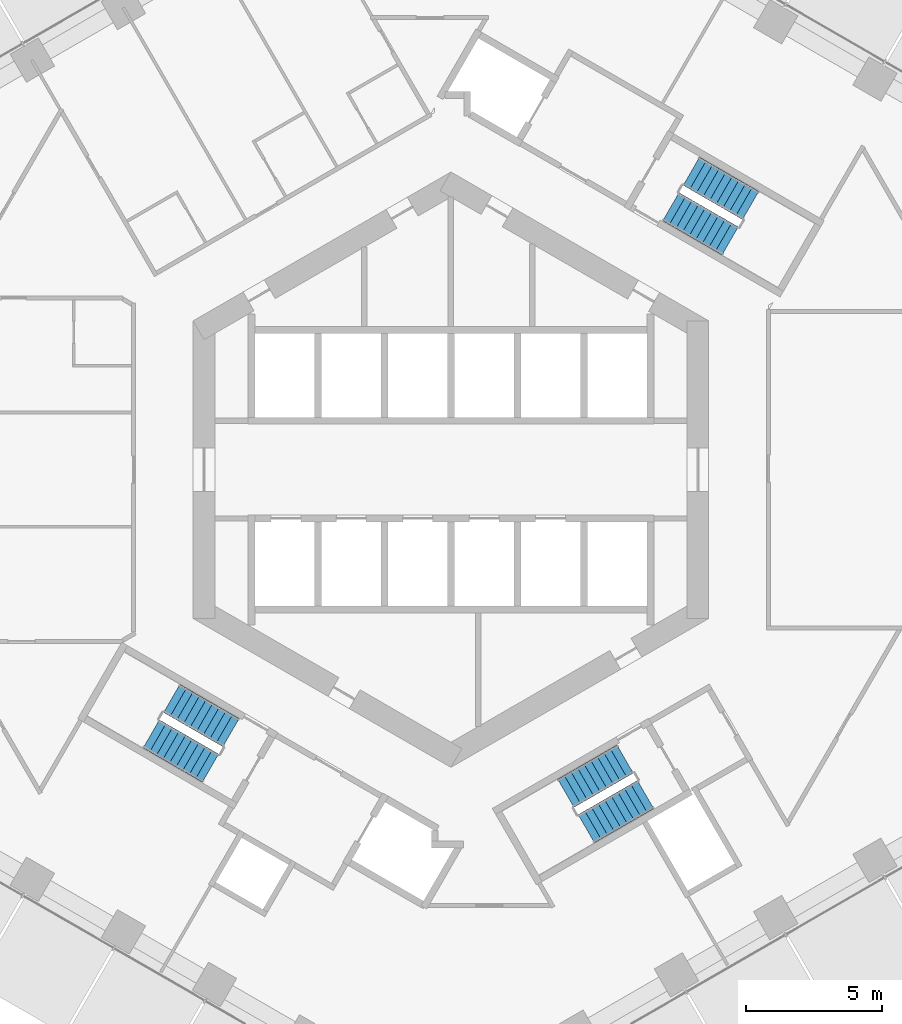
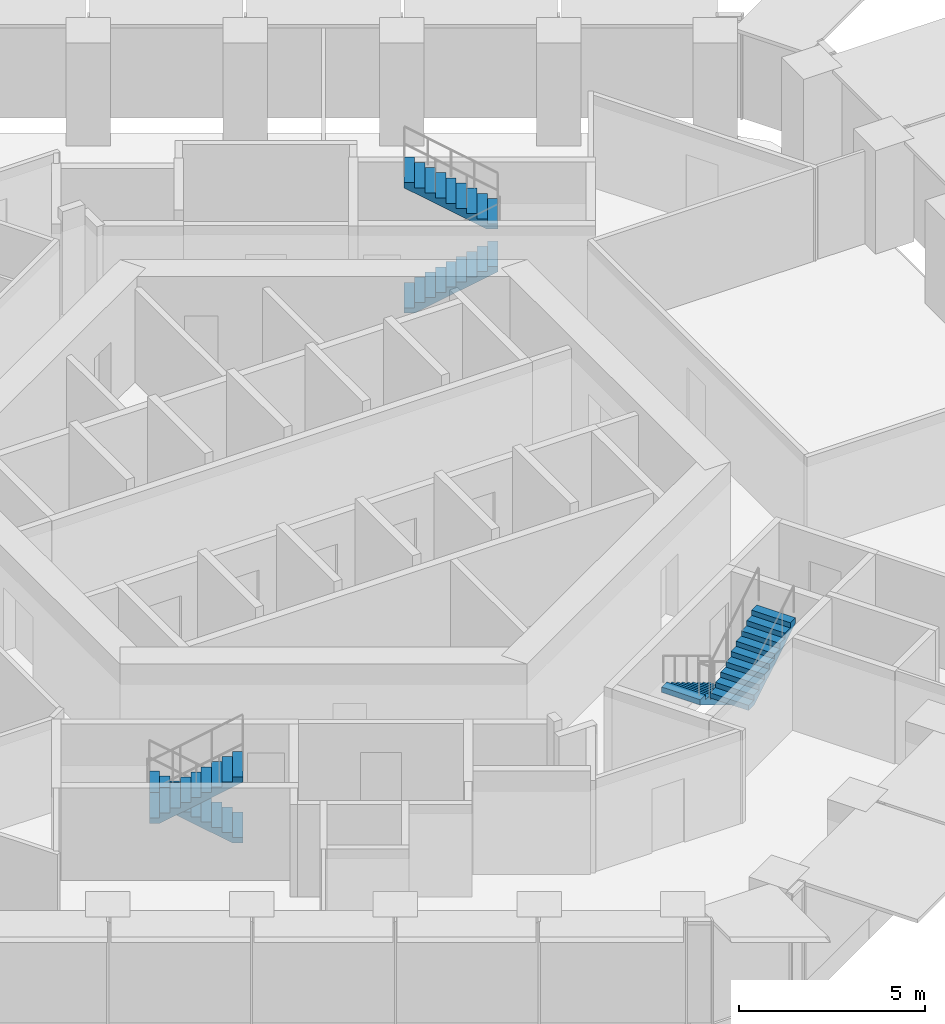
# One storey, part 16 of 19: 6 stair flights, 3 elements without a shape of their own.
"""IFC4 building model written with IfcOpenShell, lengths in metres."""

from ifc_helpers import new_model, si_unit, direction, frame, origin, place, context, subcontext, project, spatial, triangles, material, type_object, element, aggregate, save


model = new_model("IFC4")

# Units and contexts
model_context = context("Model", 3, precision=1e-05, world=origin(), true_north=direction((0.0, 1.0)))
body_context = subcontext(model_context, "Body", "Model", "MODEL_VIEW")
ifc_project = project(units=[si_unit("LENGTHUNIT", "METRE"), si_unit("AREAUNIT", "SQUARE_METRE"), si_unit("VOLUMEUNIT", "CUBIC_METRE"), si_unit("PLANEANGLEUNIT", "RADIAN"), si_unit("MASSUNIT", "GRAM", prefix="KILO")], contexts=[model_context])

# Site, building, storey
site_placement = place(None, origin())
site = spatial("IfcSite", under=ifc_project, at=site_placement, CompositionType="ELEMENT")
building_placement = place(site_placement, origin())
building = spatial("IfcBuilding", under=site, at=building_placement, Name="Ayvan Gate Tower", CompositionType="ELEMENT")
storey_placement = place(building_placement, frame((0.0, 0.0, 52.699951171875)))
storey = spatial("IfcBuildingStorey", under=building, at=storey_placement, Name="L13", CompositionType="ELEMENT", Elevation=52.699951171875)

# Stair, stair flights
ifc_material = material(Name="Concrete C40/50", Category="concrete")
stair_type = type_object("IfcStairType", Name="ST-EXIT", PredefinedType="HALF_TURN_STAIR", material=ifc_material)
stair_1_placement = place(storey_placement, origin())
stair_1 = element("IfcStair", 1, at=stair_1_placement, inside=storey, type_object=stair_type, Name="L13 Exit Stair S1", PredefinedType="HALF_TURN_STAIR")
stair_flight_type = type_object("IfcStairFlightType", Name="SFL-EXIT", PredefinedType="STRAIGHT", material=ifc_material)
stair_flight_1_placement = place(storey_placement, frame((8.106201171875, 9.690185546875, 0.0), z_axis=(0.0, 0.0, 1.0), x_axis=(0.866025403784, -0.5, 0.0)))
stair_flight_1 = element("IfcStairFlight", 2, at=stair_flight_1_placement, type_object=stair_flight_type, Name="STS1 flight 1", NumberOfRisers=10, NumberOfTreads=9, PredefinedType="STRAIGHT", RiserHeight=0.17, TreadLength=0.28, context=body_context, shape_type="Tessellation", body=[
    triangles([(0.288841, -0.599976, 0.0), (2.5205, -0.599976, 1.354936), (2.5205, -0.599976, 1.53), (2.24, -0.599976, 1.53), (2.24, -0.599976, 1.36), (1.96, -0.599976, 1.36), (1.96, -0.599976, 1.19), (1.68, -0.599976, 1.19), (1.68, -0.599976, 1.02), (1.4, -0.599976, 1.02), (1.4, -0.599976, 0.85), (1.12, -0.599976, 0.85), (1.12, -0.599976, 0.68), (0.84, -0.599976, 0.68), (0.84, -0.599976, 0.51), (0.56, -0.599976, 0.51), (0.56, -0.599976, 0.34), (0.28, -0.599976, 0.34), (0.28, -0.599976, 0.17), (-0.0005, -0.599976, 0.17), (-0.0005, -0.599976, 0.0), (0.288841, 0.0, 0.0), (2.5205, 0.0, 1.354936), (2.5205, 0.0, 1.53), (2.24, 0.0, 1.53), (2.24, 0.0, 1.36), (1.96, 0.0, 1.36), (1.96, 0.0, 1.19), (1.68, 0.0, 1.19), (1.68, 0.0, 1.02), (1.4, 0.0, 1.02), (1.4, 0.0, 0.85), (1.12, 0.0, 0.85), (1.12, 0.0, 0.68), (0.84, 0.0, 0.68), (0.84, 0.0, 0.51), (0.56, 0.0, 0.51), (0.56, 0.0, 0.34), (0.28, 0.0, 0.34), (0.28, 0.0, 0.17), (-0.0005, 0.0, 0.17), (-0.0005, 0.0, 0.0), (0.288841, 0.599976, 0.0), (2.5205, 0.599976, 1.354936), (2.5205, 0.599976, 1.53), (2.24, 0.599976, 1.53), (2.24, 0.599976, 1.36), (1.96, 0.599976, 1.36), (1.96, 0.599976, 1.19), (1.68, 0.599976, 1.19), (1.68, 0.599976, 1.02), (1.4, 0.599976, 1.02), (1.4, 0.599976, 0.85), (1.12, 0.599976, 0.85), (1.12, 0.599976, 0.68), (0.84, 0.599976, 0.68), (0.84, 0.599976, 0.51), (0.56, 0.599976, 0.51), (0.56, 0.599976, 0.34), (0.28, 0.599976, 0.34), (0.28, 0.599976, 0.17), (-0.0005, 0.599976, 0.17), (-0.0005, 0.599976, 0.0)], [[21, 1, 2], [63, 44, 43], [2, 3, 4], [44, 46, 45], [2, 4, 5], [44, 47, 46], [2, 5, 6], [44, 48, 47], [2, 6, 7], [44, 49, 48], [7, 8, 9], [49, 51, 50], [2, 7, 9], [44, 51, 49], [9, 10, 11], [51, 53, 52], [2, 9, 11], [44, 53, 51], [11, 12, 13], [53, 55, 54], [2, 11, 13], [44, 55, 53], [13, 14, 15], [55, 57, 56], [2, 13, 15], [44, 57, 55], [15, 16, 17], [57, 59, 58], [2, 15, 17], [44, 59, 57], [17, 18, 19], [59, 61, 60], [2, 17, 19], [44, 61, 59], [21, 2, 19], [63, 61, 44], [19, 20, 21], [61, 63, 62], [1, 22, 23], [1, 23, 2], [43, 23, 22], [43, 44, 23], [2, 23, 24], [2, 24, 3], [44, 24, 23], [44, 45, 24], [3, 24, 25], [3, 25, 4], [45, 25, 24], [45, 46, 25], [4, 25, 26], [4, 26, 5], [46, 26, 25], [46, 47, 26], [5, 26, 27], [5, 27, 6], [47, 27, 26], [47, 48, 27], [6, 27, 28], [6, 28, 7], [48, 28, 27], [48, 49, 28], [7, 28, 29], [7, 29, 8], [49, 29, 28], [49, 50, 29], [8, 29, 30], [8, 30, 9], [50, 30, 29], [50, 51, 30], [9, 30, 31], [9, 31, 10], [51, 31, 30], [51, 52, 31], [10, 31, 32], [10, 32, 11], [52, 32, 31], [52, 53, 32], [11, 32, 33], [11, 33, 12], [53, 33, 32], [53, 54, 33], [12, 33, 34], [12, 34, 13], [54, 34, 33], [54, 55, 34], [13, 34, 35], [13, 35, 14], [55, 35, 34], [55, 56, 35], [14, 35, 36], [14, 36, 15], [56, 36, 35], [56, 57, 36], [15, 36, 37], [15, 37, 16], [57, 37, 36], [57, 58, 37], [16, 37, 38], [16, 38, 17], [58, 38, 37], [58, 59, 38], [17, 38, 39], [17, 39, 18], [59, 39, 38], [59, 60, 39], [18, 39, 40], [18, 40, 19], [60, 40, 39], [60, 61, 40], [19, 40, 41], [19, 41, 20], [61, 41, 40], [61, 62, 41], [20, 41, 42], [20, 42, 21], [62, 42, 41], [62, 63, 42], [21, 42, 22], [21, 22, 1], [63, 22, 42], [63, 43, 22]], closed=True),
])
stair_flight_2_placement = place(storey_placement, frame((11.04345703125, 9.73779296875, 1.699951171875), z_axis=(0.0, 0.0, 1.0), x_axis=(-0.866025403784, 0.5, 0.0)))
stair_flight_2 = element("IfcStairFlight", 3, at=stair_flight_2_placement, type_object=stair_flight_type, Name="STS1 flight 2", NumberOfRisers=10, NumberOfTreads=9, PredefinedType="STRAIGHT", RiserHeight=0.17, TreadLength=0.28, context=body_context, shape_type="Tessellation", body=[
    triangles([(0.288841, -0.599976, 0.0), (2.5205, -0.599976, 1.354936), (2.5205, -0.599976, 1.53), (2.24, -0.599976, 1.53), (2.24, -0.599976, 1.36), (1.96, -0.599976, 1.36), (1.96, -0.599976, 1.19), (1.68, -0.599976, 1.19), (1.68, -0.599976, 1.02), (1.4, -0.599976, 1.02), (1.4, -0.599976, 0.85), (1.12, -0.599976, 0.85), (1.12, -0.599976, 0.68), (0.84, -0.599976, 0.68), (0.84, -0.599976, 0.51), (0.56, -0.599976, 0.51), (0.56, -0.599976, 0.34), (0.28, -0.599976, 0.34), (0.28, -0.599976, 0.17), (-0.0005, -0.599976, 0.17), (-0.0005, -0.599976, 0.0), (0.288841, 0.0, 0.0), (2.5205, 0.0, 1.354936), (2.5205, 0.0, 1.53), (2.24, 0.0, 1.53), (2.24, 0.0, 1.36), (1.96, 0.0, 1.36), (1.96, 0.0, 1.19), (1.68, 0.0, 1.19), (1.68, 0.0, 1.02), (1.4, 0.0, 1.02), (1.4, 0.0, 0.85), (1.12, 0.0, 0.85), (1.12, 0.0, 0.68), (0.84, 0.0, 0.68), (0.84, 0.0, 0.51), (0.56, 0.0, 0.51), (0.56, 0.0, 0.34), (0.28, 0.0, 0.34), (0.28, 0.0, 0.17), (-0.0005, 0.0, 0.17), (-0.0005, 0.0, 0.0), (0.288841, 0.599976, 0.0), (2.5205, 0.599976, 1.354936), (2.5205, 0.599976, 1.53), (2.24, 0.599976, 1.53), (2.24, 0.599976, 1.36), (1.96, 0.599976, 1.36), (1.96, 0.599976, 1.19), (1.68, 0.599976, 1.19), (1.68, 0.599976, 1.02), (1.4, 0.599976, 1.02), (1.4, 0.599976, 0.85), (1.12, 0.599976, 0.85), (1.12, 0.599976, 0.68), (0.84, 0.599976, 0.68), (0.84, 0.599976, 0.51), (0.56, 0.599976, 0.51), (0.56, 0.599976, 0.34), (0.28, 0.599976, 0.34), (0.28, 0.599976, 0.17), (-0.0005, 0.599976, 0.17), (-0.0005, 0.599976, 0.0)], [[21, 1, 2], [63, 44, 43], [2, 3, 4], [44, 46, 45], [2, 4, 5], [44, 47, 46], [2, 5, 6], [44, 48, 47], [2, 6, 7], [44, 49, 48], [7, 8, 9], [49, 51, 50], [2, 7, 9], [44, 51, 49], [9, 10, 11], [51, 53, 52], [2, 9, 11], [44, 53, 51], [11, 12, 13], [53, 55, 54], [2, 11, 13], [44, 55, 53], [13, 14, 15], [55, 57, 56], [2, 13, 15], [44, 57, 55], [15, 16, 17], [57, 59, 58], [2, 15, 17], [44, 59, 57], [17, 18, 19], [59, 61, 60], [2, 17, 19], [44, 61, 59], [21, 2, 19], [63, 61, 44], [19, 20, 21], [61, 63, 62], [1, 22, 23], [1, 23, 2], [43, 23, 22], [43, 44, 23], [2, 23, 24], [2, 24, 3], [44, 24, 23], [44, 45, 24], [3, 24, 25], [3, 25, 4], [45, 25, 24], [45, 46, 25], [4, 25, 26], [4, 26, 5], [46, 26, 25], [46, 47, 26], [5, 26, 27], [5, 27, 6], [47, 27, 26], [47, 48, 27], [6, 27, 28], [6, 28, 7], [48, 28, 27], [48, 49, 28], [7, 28, 29], [7, 29, 8], [49, 29, 28], [49, 50, 29], [8, 29, 30], [8, 30, 9], [50, 30, 29], [50, 51, 30], [9, 30, 31], [9, 31, 10], [51, 31, 30], [51, 52, 31], [10, 31, 32], [10, 32, 11], [52, 32, 31], [52, 53, 32], [11, 32, 33], [11, 33, 12], [53, 33, 32], [53, 54, 33], [12, 33, 34], [12, 34, 13], [54, 34, 33], [54, 55, 34], [13, 34, 35], [13, 35, 14], [55, 35, 34], [55, 56, 35], [14, 35, 36], [14, 36, 15], [56, 36, 35], [56, 57, 36], [15, 36, 37], [15, 37, 16], [57, 37, 36], [57, 58, 37], [16, 37, 38], [16, 38, 17], [58, 38, 37], [58, 59, 38], [17, 38, 39], [17, 39, 18], [59, 39, 38], [59, 60, 39], [18, 39, 40], [18, 40, 19], [60, 40, 39], [60, 61, 40], [19, 40, 41], [19, 41, 20], [61, 41, 40], [61, 62, 41], [20, 41, 42], [20, 42, 21], [62, 42, 41], [62, 63, 42], [21, 42, 22], [21, 22, 1], [63, 22, 42], [63, 43, 22]], closed=True),
])
aggregate(stair_1, [stair_flight_1, stair_flight_2])

stair_2_placement = place(storey_placement, origin())
stair_2 = element("IfcStair", 4, at=stair_2_placement, inside=storey, type_object=stair_type, Name="L13 Exit Stair S2", PredefinedType="HALF_TURN_STAIR")
stair_flight_3_placement = place(storey_placement, frame((-8.106201171875, -9.690185546875, 0.0), z_axis=(0.0, 0.0, 1.0), x_axis=(-0.866025403784, 0.5, 0.0)))
stair_flight_3 = element("IfcStairFlight", 5, at=stair_flight_3_placement, type_object=stair_flight_type, Name="STS2 flight 1", NumberOfRisers=10, NumberOfTreads=9, PredefinedType="STRAIGHT", RiserHeight=0.17, TreadLength=0.28, context=body_context, shape_type="Tessellation", body=[
    triangles([(0.288841, -0.599976, 0.0), (2.5205, -0.599976, 1.354936), (2.5205, -0.599976, 1.53), (2.24, -0.599976, 1.53), (2.24, -0.599976, 1.36), (1.96, -0.599976, 1.36), (1.96, -0.599976, 1.19), (1.68, -0.599976, 1.19), (1.68, -0.599976, 1.02), (1.4, -0.599976, 1.02), (1.4, -0.599976, 0.85), (1.12, -0.599976, 0.85), (1.12, -0.599976, 0.68), (0.84, -0.599976, 0.68), (0.84, -0.599976, 0.51), (0.56, -0.599976, 0.51), (0.56, -0.599976, 0.34), (0.28, -0.599976, 0.34), (0.28, -0.599976, 0.17), (-0.0005, -0.599976, 0.17), (-0.0005, -0.599976, 0.0), (0.288841, 0.0, 0.0), (2.5205, 0.0, 1.354936), (2.5205, 0.0, 1.53), (2.24, 0.0, 1.53), (2.24, 0.0, 1.36), (1.96, 0.0, 1.36), (1.96, 0.0, 1.19), (1.68, 0.0, 1.19), (1.68, 0.0, 1.02), (1.4, 0.0, 1.02), (1.4, 0.0, 0.85), (1.12, 0.0, 0.85), (1.12, 0.0, 0.68), (0.84, 0.0, 0.68), (0.84, 0.0, 0.51), (0.56, 0.0, 0.51), (0.56, 0.0, 0.34), (0.28, 0.0, 0.34), (0.28, 0.0, 0.17), (-0.0005, 0.0, 0.17), (-0.0005, 0.0, 0.0), (0.288841, 0.599976, 0.0), (2.5205, 0.599976, 1.354936), (2.5205, 0.599976, 1.53), (2.24, 0.599976, 1.53), (2.24, 0.599976, 1.36), (1.96, 0.599976, 1.36), (1.96, 0.599976, 1.19), (1.68, 0.599976, 1.19), (1.68, 0.599976, 1.02), (1.4, 0.599976, 1.02), (1.4, 0.599976, 0.85), (1.12, 0.599976, 0.85), (1.12, 0.599976, 0.68), (0.84, 0.599976, 0.68), (0.84, 0.599976, 0.51), (0.56, 0.599976, 0.51), (0.56, 0.599976, 0.34), (0.28, 0.599976, 0.34), (0.28, 0.599976, 0.17), (-0.0005, 0.599976, 0.17), (-0.0005, 0.599976, 0.0)], [[21, 1, 2], [63, 44, 43], [2, 3, 4], [44, 46, 45], [2, 4, 5], [44, 47, 46], [2, 5, 6], [44, 48, 47], [2, 6, 7], [44, 49, 48], [7, 8, 9], [49, 51, 50], [2, 7, 9], [44, 51, 49], [9, 10, 11], [51, 53, 52], [2, 9, 11], [44, 53, 51], [11, 12, 13], [53, 55, 54], [2, 11, 13], [44, 55, 53], [13, 14, 15], [55, 57, 56], [2, 13, 15], [44, 57, 55], [15, 16, 17], [57, 59, 58], [2, 15, 17], [44, 59, 57], [17, 18, 19], [59, 61, 60], [2, 17, 19], [44, 61, 59], [21, 2, 19], [63, 61, 44], [19, 20, 21], [61, 63, 62], [1, 22, 23], [1, 23, 2], [43, 23, 22], [43, 44, 23], [2, 23, 24], [2, 24, 3], [44, 24, 23], [44, 45, 24], [3, 24, 25], [3, 25, 4], [45, 25, 24], [45, 46, 25], [4, 25, 26], [4, 26, 5], [46, 26, 25], [46, 47, 26], [5, 26, 27], [5, 27, 6], [47, 27, 26], [47, 48, 27], [6, 27, 28], [6, 28, 7], [48, 28, 27], [48, 49, 28], [7, 28, 29], [7, 29, 8], [49, 29, 28], [49, 50, 29], [8, 29, 30], [8, 30, 9], [50, 30, 29], [50, 51, 30], [9, 30, 31], [9, 31, 10], [51, 31, 30], [51, 52, 31], [10, 31, 32], [10, 32, 11], [52, 32, 31], [52, 53, 32], [11, 32, 33], [11, 33, 12], [53, 33, 32], [53, 54, 33], [12, 33, 34], [12, 34, 13], [54, 34, 33], [54, 55, 34], [13, 34, 35], [13, 35, 14], [55, 35, 34], [55, 56, 35], [14, 35, 36], [14, 36, 15], [56, 36, 35], [56, 57, 36], [15, 36, 37], [15, 37, 16], [57, 37, 36], [57, 58, 37], [16, 37, 38], [16, 38, 17], [58, 38, 37], [58, 59, 38], [17, 38, 39], [17, 39, 18], [59, 39, 38], [59, 60, 39], [18, 39, 40], [18, 40, 19], [60, 40, 39], [60, 61, 40], [19, 40, 41], [19, 41, 20], [61, 41, 40], [61, 62, 41], [20, 41, 42], [20, 42, 21], [62, 42, 41], [62, 63, 42], [21, 42, 22], [21, 22, 1], [63, 22, 42], [63, 43, 22]], closed=True),
])
stair_flight_4_placement = place(storey_placement, frame((-11.04345703125, -9.73779296875, 1.699951171875), z_axis=(0.0, 0.0, 1.0), x_axis=(0.866025403784, -0.5, 0.0)))
stair_flight_4 = element("IfcStairFlight", 6, at=stair_flight_4_placement, type_object=stair_flight_type, Name="STS2 flight 2", NumberOfRisers=10, NumberOfTreads=9, PredefinedType="STRAIGHT", RiserHeight=0.17, TreadLength=0.28, context=body_context, shape_type="Tessellation", body=[
    triangles([(0.288841, -0.599976, 0.0), (2.5205, -0.599976, 1.354936), (2.5205, -0.599976, 1.53), (2.24, -0.599976, 1.53), (2.24, -0.599976, 1.36), (1.96, -0.599976, 1.36), (1.96, -0.599976, 1.19), (1.68, -0.599976, 1.19), (1.68, -0.599976, 1.02), (1.4, -0.599976, 1.02), (1.4, -0.599976, 0.85), (1.12, -0.599976, 0.85), (1.12, -0.599976, 0.68), (0.84, -0.599976, 0.68), (0.84, -0.599976, 0.51), (0.56, -0.599976, 0.51), (0.56, -0.599976, 0.34), (0.28, -0.599976, 0.34), (0.28, -0.599976, 0.17), (-0.0005, -0.599976, 0.17), (-0.0005, -0.599976, 0.0), (0.288841, 0.0, 0.0), (2.5205, 0.0, 1.354936), (2.5205, 0.0, 1.53), (2.24, 0.0, 1.53), (2.24, 0.0, 1.36), (1.96, 0.0, 1.36), (1.96, 0.0, 1.19), (1.68, 0.0, 1.19), (1.68, 0.0, 1.02), (1.4, 0.0, 1.02), (1.4, 0.0, 0.85), (1.12, 0.0, 0.85), (1.12, 0.0, 0.68), (0.84, 0.0, 0.68), (0.84, 0.0, 0.51), (0.56, 0.0, 0.51), (0.56, 0.0, 0.34), (0.28, 0.0, 0.34), (0.28, 0.0, 0.17), (-0.0005, 0.0, 0.17), (-0.0005, 0.0, 0.0), (0.288841, 0.599976, 0.0), (2.5205, 0.599976, 1.354936), (2.5205, 0.599976, 1.53), (2.24, 0.599976, 1.53), (2.24, 0.599976, 1.36), (1.96, 0.599976, 1.36), (1.96, 0.599976, 1.19), (1.68, 0.599976, 1.19), (1.68, 0.599976, 1.02), (1.4, 0.599976, 1.02), (1.4, 0.599976, 0.85), (1.12, 0.599976, 0.85), (1.12, 0.599976, 0.68), (0.84, 0.599976, 0.68), (0.84, 0.599976, 0.51), (0.56, 0.599976, 0.51), (0.56, 0.599976, 0.34), (0.28, 0.599976, 0.34), (0.28, 0.599976, 0.17), (-0.0005, 0.599976, 0.17), (-0.0005, 0.599976, 0.0)], [[21, 1, 2], [63, 44, 43], [2, 3, 4], [44, 46, 45], [2, 4, 5], [44, 47, 46], [2, 5, 6], [44, 48, 47], [2, 6, 7], [44, 49, 48], [7, 8, 9], [49, 51, 50], [2, 7, 9], [44, 51, 49], [9, 10, 11], [51, 53, 52], [2, 9, 11], [44, 53, 51], [11, 12, 13], [53, 55, 54], [2, 11, 13], [44, 55, 53], [13, 14, 15], [55, 57, 56], [2, 13, 15], [44, 57, 55], [15, 16, 17], [57, 59, 58], [2, 15, 17], [44, 59, 57], [17, 18, 19], [59, 61, 60], [2, 17, 19], [44, 61, 59], [21, 2, 19], [63, 61, 44], [19, 20, 21], [61, 63, 62], [1, 22, 23], [1, 23, 2], [43, 23, 22], [43, 44, 23], [2, 23, 24], [2, 24, 3], [44, 24, 23], [44, 45, 24], [3, 24, 25], [3, 25, 4], [45, 25, 24], [45, 46, 25], [4, 25, 26], [4, 26, 5], [46, 26, 25], [46, 47, 26], [5, 26, 27], [5, 27, 6], [47, 27, 26], [47, 48, 27], [6, 27, 28], [6, 28, 7], [48, 28, 27], [48, 49, 28], [7, 28, 29], [7, 29, 8], [49, 29, 28], [49, 50, 29], [8, 29, 30], [8, 30, 9], [50, 30, 29], [50, 51, 30], [9, 30, 31], [9, 31, 10], [51, 31, 30], [51, 52, 31], [10, 31, 32], [10, 32, 11], [52, 32, 31], [52, 53, 32], [11, 32, 33], [11, 33, 12], [53, 33, 32], [53, 54, 33], [12, 33, 34], [12, 34, 13], [54, 34, 33], [54, 55, 34], [13, 34, 35], [13, 35, 14], [55, 35, 34], [55, 56, 35], [14, 35, 36], [14, 36, 15], [56, 36, 35], [56, 57, 36], [15, 36, 37], [15, 37, 16], [57, 37, 36], [57, 58, 37], [16, 37, 38], [16, 38, 17], [58, 38, 37], [58, 59, 38], [17, 38, 39], [17, 39, 18], [59, 39, 38], [59, 60, 39], [18, 39, 40], [18, 40, 19], [60, 40, 39], [60, 61, 40], [19, 40, 41], [19, 41, 20], [61, 41, 40], [61, 62, 41], [20, 41, 42], [20, 42, 21], [62, 42, 41], [62, 63, 42], [21, 42, 22], [21, 22, 1], [63, 22, 42], [63, 43, 22]], closed=True),
])
aggregate(stair_2, [stair_flight_3, stair_flight_4])

stair_3_placement = place(storey_placement, origin())
stair_3 = element("IfcStair", 7, at=stair_3_placement, inside=storey, type_object=stair_type, Name="L13 Exit Stair S3", PredefinedType="HALF_TURN_STAIR")
stair_flight_5_placement = place(storey_placement, frame((6.417236328125, -10.665283203125, 0.0), z_axis=(0.0, 0.0, 1.0), x_axis=(-0.866025403784, -0.5, 0.0)))
stair_flight_5 = element("IfcStairFlight", 8, at=stair_flight_5_placement, type_object=stair_flight_type, Name="STS3 flight 1", NumberOfRisers=10, NumberOfTreads=9, PredefinedType="STRAIGHT", RiserHeight=0.17, TreadLength=0.28, context=body_context, shape_type="Tessellation", body=[
    triangles([(0.288841, -0.599976, 0.0), (2.5205, -0.599976, 1.354936), (2.5205, -0.599976, 1.53), (2.24, -0.599976, 1.53), (2.24, -0.599976, 1.36), (1.96, -0.599976, 1.36), (1.96, -0.599976, 1.19), (1.68, -0.599976, 1.19), (1.68, -0.599976, 1.02), (1.4, -0.599976, 1.02), (1.4, -0.599976, 0.85), (1.12, -0.599976, 0.85), (1.12, -0.599976, 0.68), (0.84, -0.599976, 0.68), (0.84, -0.599976, 0.51), (0.56, -0.599976, 0.51), (0.56, -0.599976, 0.34), (0.28, -0.599976, 0.34), (0.28, -0.599976, 0.17), (-0.0005, -0.599976, 0.17), (-0.0005, -0.599976, 0.0), (0.288841, 0.0, 0.0), (2.5205, 0.0, 1.354936), (2.5205, 0.0, 1.53), (2.24, 0.0, 1.53), (2.24, 0.0, 1.36), (1.96, 0.0, 1.36), (1.96, 0.0, 1.19), (1.68, 0.0, 1.19), (1.68, 0.0, 1.02), (1.4, 0.0, 1.02), (1.4, 0.0, 0.85), (1.12, 0.0, 0.85), (1.12, 0.0, 0.68), (0.84, 0.0, 0.68), (0.84, 0.0, 0.51), (0.56, 0.0, 0.51), (0.56, 0.0, 0.34), (0.28, 0.0, 0.34), (0.28, 0.0, 0.17), (-0.0005, 0.0, 0.17), (-0.0005, 0.0, 0.0), (0.288841, 0.599976, 0.0), (2.5205, 0.599976, 1.354936), (2.5205, 0.599976, 1.53), (2.24, 0.599976, 1.53), (2.24, 0.599976, 1.36), (1.96, 0.599976, 1.36), (1.96, 0.599976, 1.19), (1.68, 0.599976, 1.19), (1.68, 0.599976, 1.02), (1.4, 0.599976, 1.02), (1.4, 0.599976, 0.85), (1.12, 0.599976, 0.85), (1.12, 0.599976, 0.68), (0.84, 0.599976, 0.68), (0.84, 0.599976, 0.51), (0.56, 0.599976, 0.51), (0.56, 0.599976, 0.34), (0.28, 0.599976, 0.34), (0.28, 0.599976, 0.17), (-0.0005, 0.599976, 0.17), (-0.0005, 0.599976, 0.0)], [[21, 1, 2], [63, 44, 43], [2, 3, 4], [44, 46, 45], [2, 4, 5], [44, 47, 46], [2, 5, 6], [44, 48, 47], [2, 6, 7], [44, 49, 48], [7, 8, 9], [49, 51, 50], [2, 7, 9], [44, 51, 49], [9, 10, 11], [51, 53, 52], [2, 9, 11], [44, 53, 51], [11, 12, 13], [53, 55, 54], [2, 11, 13], [44, 55, 53], [13, 14, 15], [55, 57, 56], [2, 13, 15], [44, 57, 55], [15, 16, 17], [57, 59, 58], [2, 15, 17], [44, 59, 57], [17, 18, 19], [59, 61, 60], [2, 17, 19], [44, 61, 59], [21, 2, 19], [63, 61, 44], [19, 20, 21], [61, 63, 62], [1, 22, 23], [1, 23, 2], [43, 23, 22], [43, 44, 23], [2, 23, 24], [2, 24, 3], [44, 24, 23], [44, 45, 24], [3, 24, 25], [3, 25, 4], [45, 25, 24], [45, 46, 25], [4, 25, 26], [4, 26, 5], [46, 26, 25], [46, 47, 26], [5, 26, 27], [5, 27, 6], [47, 27, 26], [47, 48, 27], [6, 27, 28], [6, 28, 7], [48, 28, 27], [48, 49, 28], [7, 28, 29], [7, 29, 8], [49, 29, 28], [49, 50, 29], [8, 29, 30], [8, 30, 9], [50, 30, 29], [50, 51, 30], [9, 30, 31], [9, 31, 10], [51, 31, 30], [51, 52, 31], [10, 31, 32], [10, 32, 11], [52, 32, 31], [52, 53, 32], [11, 32, 33], [11, 33, 12], [53, 33, 32], [53, 54, 33], [12, 33, 34], [12, 34, 13], [54, 34, 33], [54, 55, 34], [13, 34, 35], [13, 35, 14], [55, 35, 34], [55, 56, 35], [14, 35, 36], [14, 36, 15], [56, 36, 35], [56, 57, 36], [15, 36, 37], [15, 37, 16], [57, 37, 36], [57, 58, 37], [16, 37, 38], [16, 38, 17], [58, 38, 37], [58, 59, 38], [17, 38, 39], [17, 39, 18], [59, 39, 38], [59, 60, 39], [18, 39, 40], [18, 40, 19], [60, 40, 39], [60, 61, 40], [19, 40, 41], [19, 41, 20], [61, 41, 40], [61, 62, 41], [20, 41, 42], [20, 42, 21], [62, 42, 41], [62, 63, 42], [21, 42, 22], [21, 22, 1], [63, 22, 42], [63, 43, 22]], closed=True),
])
stair_flight_6_placement = place(storey_placement, frame((4.989990234375, -13.23291015625, 1.699951171875), z_axis=(0.0, 0.0, 1.0), x_axis=(0.866025403784, 0.5, 0.0)))
stair_flight_6 = element("IfcStairFlight", 9, at=stair_flight_6_placement, type_object=stair_flight_type, Name="STS3 flight 2", NumberOfRisers=10, NumberOfTreads=9, PredefinedType="STRAIGHT", RiserHeight=0.17, TreadLength=0.28, context=body_context, shape_type="Tessellation", body=[
    triangles([(0.288841, -0.599976, 0.0), (2.5205, -0.599976, 1.354936), (2.5205, -0.599976, 1.53), (2.24, -0.599976, 1.53), (2.24, -0.599976, 1.36), (1.96, -0.599976, 1.36), (1.96, -0.599976, 1.19), (1.68, -0.599976, 1.19), (1.68, -0.599976, 1.02), (1.4, -0.599976, 1.02), (1.4, -0.599976, 0.85), (1.12, -0.599976, 0.85), (1.12, -0.599976, 0.68), (0.84, -0.599976, 0.68), (0.84, -0.599976, 0.51), (0.56, -0.599976, 0.51), (0.56, -0.599976, 0.34), (0.28, -0.599976, 0.34), (0.28, -0.599976, 0.17), (-0.0005, -0.599976, 0.17), (-0.0005, -0.599976, 0.0), (0.288841, 0.0, 0.0), (2.5205, 0.0, 1.354936), (2.5205, 0.0, 1.53), (2.24, 0.0, 1.53), (2.24, 0.0, 1.36), (1.96, 0.0, 1.36), (1.96, 0.0, 1.19), (1.68, 0.0, 1.19), (1.68, 0.0, 1.02), (1.4, 0.0, 1.02), (1.4, 0.0, 0.85), (1.12, 0.0, 0.85), (1.12, 0.0, 0.68), (0.84, 0.0, 0.68), (0.84, 0.0, 0.51), (0.56, 0.0, 0.51), (0.56, 0.0, 0.34), (0.28, 0.0, 0.34), (0.28, 0.0, 0.17), (-0.0005, 0.0, 0.17), (-0.0005, 0.0, 0.0), (0.288841, 0.599976, 0.0), (2.5205, 0.599976, 1.354936), (2.5205, 0.599976, 1.53), (2.24, 0.599976, 1.53), (2.24, 0.599976, 1.36), (1.96, 0.599976, 1.36), (1.96, 0.599976, 1.19), (1.68, 0.599976, 1.19), (1.68, 0.599976, 1.02), (1.4, 0.599976, 1.02), (1.4, 0.599976, 0.85), (1.12, 0.599976, 0.85), (1.12, 0.599976, 0.68), (0.84, 0.599976, 0.68), (0.84, 0.599976, 0.51), (0.56, 0.599976, 0.51), (0.56, 0.599976, 0.34), (0.28, 0.599976, 0.34), (0.28, 0.599976, 0.17), (-0.0005, 0.599976, 0.17), (-0.0005, 0.599976, 0.0)], [[21, 1, 2], [63, 44, 43], [2, 3, 4], [44, 46, 45], [2, 4, 5], [44, 47, 46], [2, 5, 6], [44, 48, 47], [2, 6, 7], [44, 49, 48], [7, 8, 9], [49, 51, 50], [2, 7, 9], [44, 51, 49], [9, 10, 11], [51, 53, 52], [2, 9, 11], [44, 53, 51], [11, 12, 13], [53, 55, 54], [2, 11, 13], [44, 55, 53], [13, 14, 15], [55, 57, 56], [2, 13, 15], [44, 57, 55], [15, 16, 17], [57, 59, 58], [2, 15, 17], [44, 59, 57], [17, 18, 19], [59, 61, 60], [2, 17, 19], [44, 61, 59], [21, 2, 19], [63, 61, 44], [19, 20, 21], [61, 63, 62], [1, 22, 23], [1, 23, 2], [43, 23, 22], [43, 44, 23], [2, 23, 24], [2, 24, 3], [44, 24, 23], [44, 45, 24], [3, 24, 25], [3, 25, 4], [45, 25, 24], [45, 46, 25], [4, 25, 26], [4, 26, 5], [46, 26, 25], [46, 47, 26], [5, 26, 27], [5, 27, 6], [47, 27, 26], [47, 48, 27], [6, 27, 28], [6, 28, 7], [48, 28, 27], [48, 49, 28], [7, 28, 29], [7, 29, 8], [49, 29, 28], [49, 50, 29], [8, 29, 30], [8, 30, 9], [50, 30, 29], [50, 51, 30], [9, 30, 31], [9, 31, 10], [51, 31, 30], [51, 52, 31], [10, 31, 32], [10, 32, 11], [52, 32, 31], [52, 53, 32], [11, 32, 33], [11, 33, 12], [53, 33, 32], [53, 54, 33], [12, 33, 34], [12, 34, 13], [54, 34, 33], [54, 55, 34], [13, 34, 35], [13, 35, 14], [55, 35, 34], [55, 56, 35], [14, 35, 36], [14, 36, 15], [56, 36, 35], [56, 57, 36], [15, 36, 37], [15, 37, 16], [57, 37, 36], [57, 58, 37], [16, 37, 38], [16, 38, 17], [58, 38, 37], [58, 59, 38], [17, 38, 39], [17, 39, 18], [59, 39, 38], [59, 60, 39], [18, 39, 40], [18, 40, 19], [60, 40, 39], [60, 61, 40], [19, 40, 41], [19, 41, 20], [61, 41, 40], [61, 62, 41], [20, 41, 42], [20, 42, 21], [62, 42, 41], [62, 63, 42], [21, 42, 22], [21, 22, 1], [63, 22, 42], [63, 43, 22]], closed=True),
])
aggregate(stair_3, [stair_flight_5, stair_flight_6])

save(model, "model.ifc")
